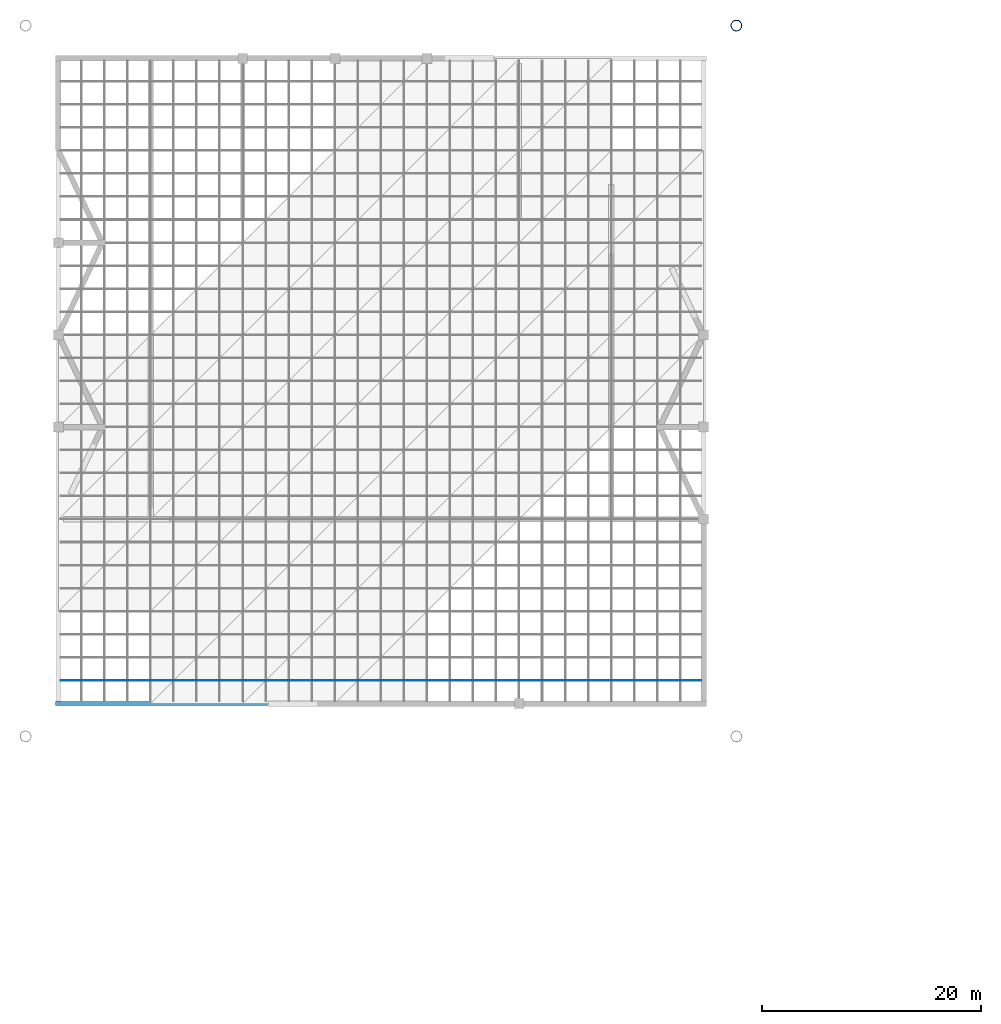
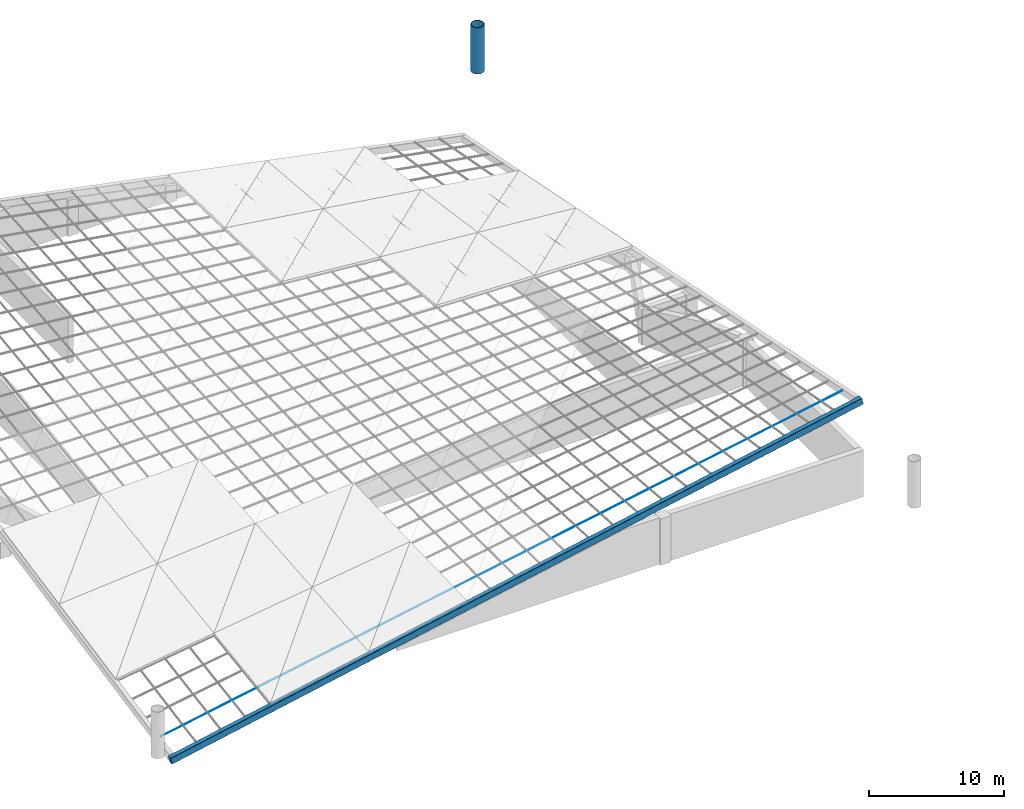
# One storey, part 7 of 20: 2 members, 1 column.
"""IFC4 building model written with IfcOpenShell, lengths in metres."""

from ifc_helpers import new_model, si_unit, direction, frame, origin, origin_2d, place, context, subcontext, project, spatial, hollow_rectangle, circle, hollow_circle, extrude, material, material_profile, profile_set, type_object, element, save


model = new_model("IFC4")

# Units and contexts
model_context = context("Model", 3, precision=1e-05, world=origin(), true_north=direction((0.0, 1.0)))
body_context = subcontext(model_context, "Body", "Model", "MODEL_VIEW")
ifc_project = project(units=[si_unit("LENGTHUNIT", "METRE"), si_unit("AREAUNIT", "SQUARE_METRE"), si_unit("VOLUMEUNIT", "CUBIC_METRE"), si_unit("PLANEANGLEUNIT", "RADIAN"), si_unit("MASSUNIT", "GRAM", prefix="KILO")], contexts=[model_context])

# Site, building, storey
site_placement = place(None, origin())
site = spatial("IfcSite", under=ifc_project, at=site_placement, CompositionType="ELEMENT")
building_placement = place(site_placement, origin())
building = spatial("IfcBuilding", under=site, at=building_placement, Name="Cresset Court Congress Hotel", CompositionType="ELEMENT")
storey_placement = place(building_placement, frame((0.0, 0.0, 27.0)))
storey = spatial("IfcBuildingStorey", under=building, at=storey_placement, Name="L06", CompositionType="ELEMENT", Elevation=27.0)

# Column
ifc_material_1 = material(Name="Structural steel Q355B", Category="steel")
ifc_material_profile_1 = material_profile(ifc_material_1, hollow_circle(Radius=0.508056640625, WallThickness=0.050048828125, at=origin_2d()), Name="CHS1016x50")
ifc_profile_set_1 = profile_set([ifc_material_profile_1], Name="Structural steel Q355B")
column_type = type_object("IfcColumnType", Name="Mast tube 1016x50", PredefinedType="COLUMN", material=ifc_profile_set_1)
column_placement = place(storey_placement, frame((120.60009765625, 120.60009765625, 0.0), z_axis=(0.0, 0.0, 1.0), x_axis=(1.0, 0.0, 0.0)))
element("IfcColumn", 1, at=column_placement, inside=storey, type_object=column_type, Name="Mast M3", PredefinedType="COLUMN", context=body_context, shape_type="SweptSolid", body=[
    extrude(hollow_circle(Radius=0.508056640625, WallThickness=0.050048828125, at=origin_2d()), origin(), (0.0, 0.0, 1.0), 4.199951171875),
])

# Members
ifc_material_2 = material(Name="Structural steel Q355B", Category="steel")
ifc_material_profile_2 = material_profile(ifc_material_2, circle(Radius=0.02392578125, at=origin_2d()), Name="CABLE48")
ifc_profile_set_2 = profile_set([ifc_material_profile_2], Name="Structural steel Q355B")
member_type_1 = type_object("IfcMemberType", Name="Net cable 48", PredefinedType="USERDEFINED", material=ifc_profile_set_2)
member_1_placement = place(storey_placement, frame((59.00390625, 60.89990234375, -2.54052734375), z_axis=(0.983077152498, 0.0, 0.183192009205), x_axis=(0.0, 1.0, 0.0)))
element("IfcMember", 2, at=member_1_placement, inside=storey, type_object=member_type_1, Name="Net cable CB-X01", ObjectType="CABLE", PredefinedType="USERDEFINED", context=body_context, shape_type="SweptSolid", body=[
    extrude(circle(Radius=0.02392578125, at=origin_2d()), origin(), (0.0, 0.0, 1.0), 59.397216796875),
])
ifc_material_3 = material(Name="Structural steel Q355B", Category="steel")
ifc_material_profile_3 = material_profile(ifc_material_3, hollow_rectangle(XDim=0.39990234375, YDim=0.60009765625, WallThickness=0.02490234375, InnerFilletRadius=0.012451171875, OuterFilletRadius=0.03759765625, at=origin_2d()), Name="RHS600x400x25")
ifc_profile_set_3 = profile_set([ifc_material_profile_3], Name="Structural steel Q355B")
member_type_2 = type_object("IfcMemberType", Name="Ring beam box 600x400x25", PredefinedType="USERDEFINED", material=ifc_profile_set_3)
member_2_placement = place(storey_placement, frame((58.60009765625, 58.800048828125, -3.265625), z_axis=(0.980451854127, 0.0, 0.19675914652), x_axis=(0.0, 1.0, 0.0)))
element("IfcMember", 3, at=member_2_placement, inside=storey, type_object=member_type_2, Name="Ring beam RB-S", ObjectType="RING BEAM", PredefinedType="USERDEFINED", context=body_context, shape_type="SweptSolid", body=[
    extrude(hollow_rectangle(XDim=0.39990234375, YDim=0.60009765625, WallThickness=0.02490234375, InnerFilletRadius=0.012451171875, OuterFilletRadius=0.03759765625, at=origin_2d()), origin(), (0.0, 0.0, 1.0), 60.38037109375),
])

save(model, "model.ifc")
